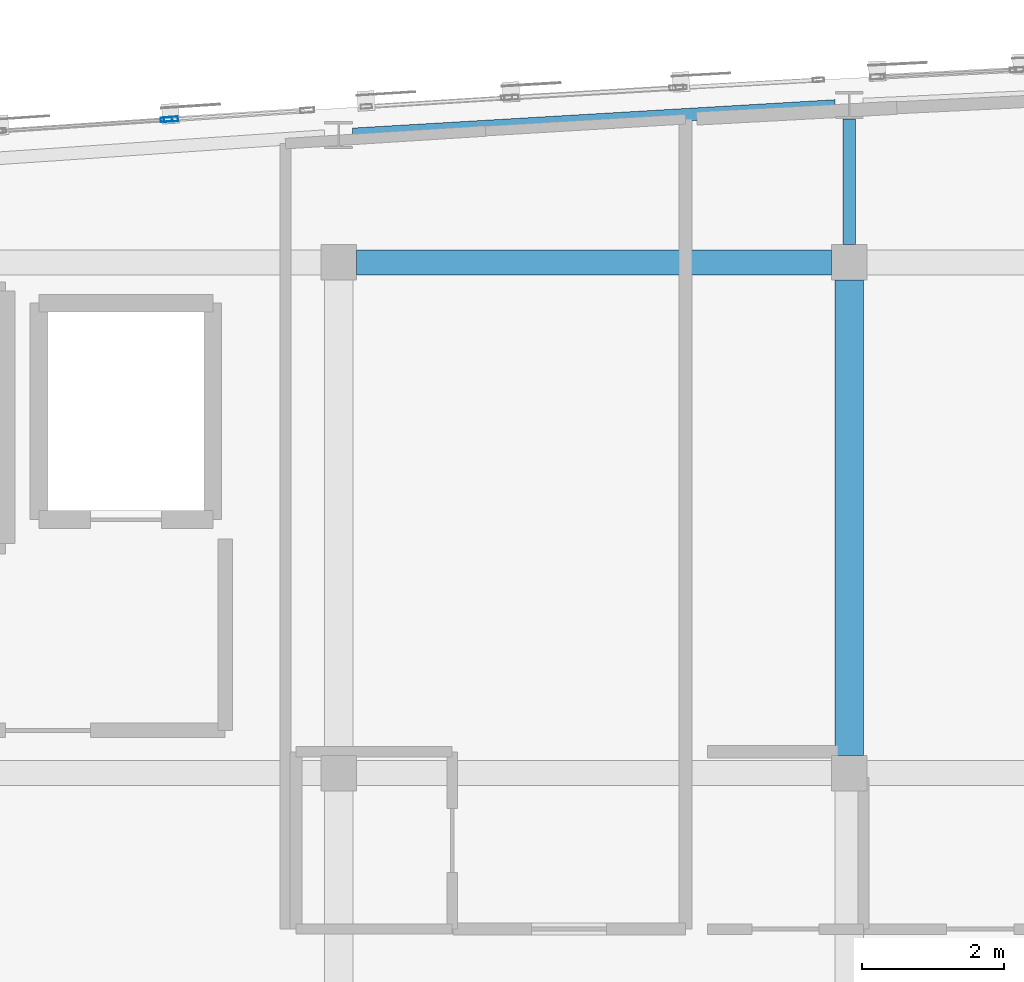
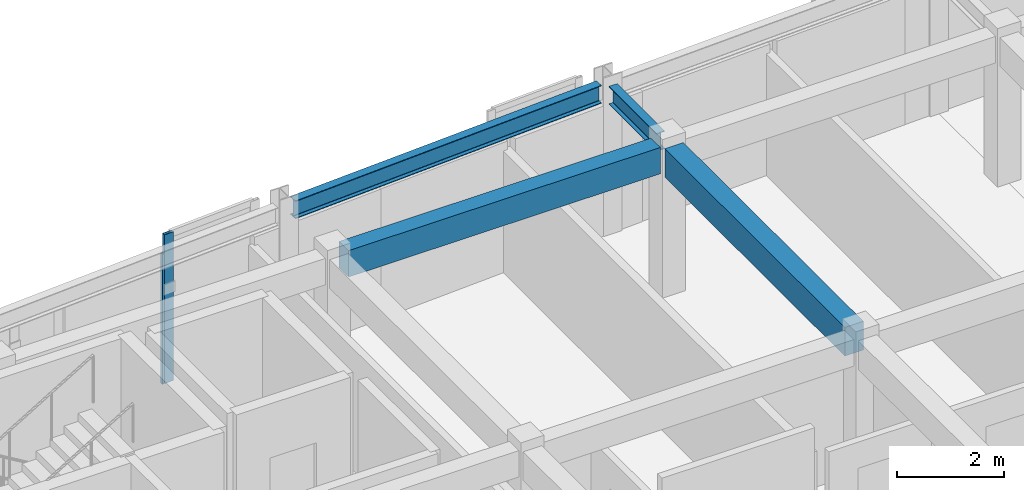
# One storey, part 10 of 34: 4 beams, 2 members, 2 elements without a shape of their own.
"""IFC4 building model written with IfcOpenShell, lengths in metres."""

from ifc_helpers import new_model, si_unit, direction, frame, origin, origin_2d, place, context, subcontext, project, spatial, rectangle, hollow_rectangle, i_section, extrude, material, layer, layer_set, material_profile, profile_set, type_object, element, aggregate, save


model = new_model("IFC4")

# Units and contexts
model_context = context("Model", 3, precision=1e-05, world=origin(), true_north=direction((0.0, 1.0)))
body_context = subcontext(model_context, "Body", "Model", "MODEL_VIEW")
ifc_project = project(units=[si_unit("LENGTHUNIT", "METRE"), si_unit("AREAUNIT", "SQUARE_METRE"), si_unit("VOLUMEUNIT", "CUBIC_METRE"), si_unit("PLANEANGLEUNIT", "RADIAN"), si_unit("MASSUNIT", "GRAM", prefix="KILO")], contexts=[model_context])

# Site, building, storey
site_placement = place(None, origin())
site = spatial("IfcSite", under=ifc_project, at=site_placement, CompositionType="ELEMENT")
building_placement = place(site_placement, origin())
building = spatial("IfcBuilding", under=site, at=building_placement, Name="Carrowvane Square Congress Hotel", CompositionType="ELEMENT")
storey_placement = place(building_placement, frame((0.0, 0.0, 40.800048828125)))
storey = spatial("IfcBuildingStorey", under=building, at=storey_placement, Name="L10", CompositionType="ELEMENT", Elevation=40.800048828125)

# Beams
ifc_material_1 = material(Name="Concrete C35/45", Category="concrete")
ifc_material_profile_1 = material_profile(ifc_material_1, rectangle(XDim=0.35009765625, YDim=0.60009765625, at=origin_2d()), Name="RC 350x600")
ifc_profile_set_1 = profile_set([ifc_material_profile_1], Name="Concrete C35/45")
beam_type_1 = type_object("IfcBeamType", Name="BM-RC-350x600", PredefinedType="BEAM", material=ifc_profile_set_1)
beam_1_placement = place(storey_placement, frame((69.449951171875, 113.39990234375, 3.079833984375), z_axis=(1.0, 0.0, 0.0), x_axis=(0.0, 1.0, 0.0)))
element("IfcBeam", 1, at=beam_1_placement, inside=storey, type_object=beam_type_1, Name="L11 girder R/9-10", PredefinedType="BEAM", context=body_context, shape_type="SweptSolid", body=[
    extrude(rectangle(XDim=0.35009765625, YDim=0.60009765625, at=origin_2d()), origin(), (0.0, 0.0, 1.0), 6.699951171875),
])
ifc_material_2 = material(Name="Concrete C35/45", Category="concrete")
ifc_material_profile_2 = material_profile(ifc_material_2, rectangle(XDim=0.39990234375, YDim=0.64990234375, at=origin_2d()), Name="RC 400x650")
ifc_profile_set_2 = profile_set([ifc_material_profile_2], Name="Concrete C35/45")
beam_type_2 = type_object("IfcBeamType", Name="BM-RC-400x650", PredefinedType="BEAM", material=ifc_profile_set_2)
beam_2_placement = place(storey_placement, frame((76.39990234375, 106.449951171875, 3.054931640625), z_axis=(0.0, 1.0, 0.0), x_axis=(-1.0, 0.0, 0.0)))
element("IfcBeam", 2, at=beam_2_placement, inside=storey, type_object=beam_type_2, Name="L11 girder 10/Q-R", PredefinedType="BEAM", context=body_context, shape_type="SweptSolid", body=[
    extrude(rectangle(XDim=0.39990234375, YDim=0.64990234375, at=origin_2d()), origin(), (0.0, 0.0, 1.0), 6.699951171875),
])
ifc_material_3 = material(Name="Steel S355", Category="steel")
ifc_material_profile_3 = material_profile(ifc_material_3, i_section(OverallWidth=0.1787109375, OverallDepth=0.409423828125, WebThickness=0.0087890625, FlangeThickness=0.014404296875, FilletRadius=0.01025390625, at=origin_2d()), Name="UKB 406x178x67")
ifc_profile_set_3 = profile_set([ifc_material_profile_3], Name="Steel S355")
beam_type_3 = type_object("IfcBeamType", Name="BM-ST-UKB406", PredefinedType="BEAM", material=ifc_profile_set_3)
beam_3_placement = place(storey_placement, frame((69.39697265625, 115.205810546875, 3.17529296875), z_axis=(0.998276101502, 0.058692633008, 0.0), x_axis=(-0.058692633008, 0.998276101502, 0.0)))
element("IfcBeam", 3, at=beam_3_placement, inside=storey, type_object=beam_type_3, Name="L11 curved north spandrel", PredefinedType="BEAM", context=body_context, shape_type="SweptSolid", body=[
    extrude(i_section(OverallWidth=0.1787109375, OverallDepth=0.409423828125, WebThickness=0.0087890625, FlangeThickness=0.014404296875, FilletRadius=0.01025390625, at=origin_2d()), origin(), (0.0, 0.0, 1.0), 6.817626953125),
])
beam_4_placement = place(storey_placement, frame((76.39990234375, 113.64990234375, 3.17529296875), z_axis=(0.0, 1.0, 0.0), x_axis=(-1.0, 0.0, 0.0)))
element("IfcBeam", 4, at=beam_4_placement, inside=storey, type_object=beam_type_3, Name="L11 radial north beam 10", PredefinedType="BEAM", context=body_context, shape_type="SweptSolid", body=[
    extrude(i_section(OverallWidth=0.1787109375, OverallDepth=0.409423828125, WebThickness=0.0087890625, FlangeThickness=0.014404296875, FilletRadius=0.01025390625, at=origin_2d()), origin(), (0.0, 0.0, 1.0), 1.770263671875),
])

# Curtain wall, member
ifc_material_4 = material(Name="Anodised aluminium", Category="aluminium")
ifc_layer_1 = layer(ifc_material_4, 0.162109375)
ifc_layer_set_1 = layer_set([ifc_layer_1], Name="Anodised aluminium")
curtain_wall_type_1 = type_object("IfcCurtainWallType", Name="CW-SYS-1", PredefinedType="NOTDEFINED", material=ifc_layer_set_1)
curtain_wall_1_placement = place(storey_placement, origin())
curtain_wall_1 = element("IfcCurtainWall", 5, at=curtain_wall_1_placement, inside=storey, type_object=curtain_wall_type_1, Name="L10 unitised curtain wall 560", PredefinedType="NOTDEFINED")
ifc_material_5 = material(Name="Anodised aluminium", Category="aluminium")
ifc_material_profile_4 = material_profile(ifc_material_5, hollow_rectangle(XDim=0.06005859375, YDim=0.159912109375, WallThickness=0.00390625, at=origin_2d()), Name="CW-ML 60x160x4")
ifc_profile_set_4 = profile_set([ifc_material_profile_4], Name="Anodised aluminium")
member_type_1 = type_object("IfcMemberType", Name="CW-MUL-1", PredefinedType="MULLION", material=ifc_profile_set_4)
member_1_placement = place(storey_placement, frame((66.77001953125, 115.4150390625, 0.0), z_axis=(0.0, 0.0, 1.0), x_axis=(-0.067865424104, 0.997694484404, 0.0)))
member_1 = element("IfcMember", 6, at=member_1_placement, type_object=member_type_1, Name="CW-1 mullion 2", PredefinedType="MULLION", context=body_context, shape_type="SweptSolid", body=[
    extrude(hollow_rectangle(XDim=0.06005859375, YDim=0.159912109375, WallThickness=0.00390625, at=origin_2d()), origin(), (0.0, 0.0, 1.0), 2.95556640625),
])
aggregate(curtain_wall_1, [member_1])

ifc_material_6 = material(Name="Anodised aluminium", Category="aluminium")
ifc_layer_2 = layer(ifc_material_6, 0.174072265625)
ifc_layer_set_2 = layer_set([ifc_layer_2], Name="Anodised aluminium")
curtain_wall_type_2 = type_object("IfcCurtainWallType", Name="CW-SYS-2", PredefinedType="NOTDEFINED", material=ifc_layer_set_2)
curtain_wall_2_placement = place(storey_placement, origin())
curtain_wall_2 = element("IfcCurtainWall", 7, at=curtain_wall_2_placement, inside=storey, type_object=curtain_wall_type_2, Name="L10 unitised curtain wall 561", PredefinedType="NOTDEFINED")
ifc_material_7 = material(Name="Anodised aluminium", Category="aluminium")
ifc_material_profile_5 = material_profile(ifc_material_7, hollow_rectangle(XDim=0.070068359375, YDim=0.199951171875, WallThickness=0.0048828125, at=origin_2d()), Name="CW-ML 70x200x5")
ifc_profile_set_5 = profile_set([ifc_material_profile_5], Name="Anodised aluminium")
member_type_2 = type_object("IfcMemberType", Name="CW-MUL-2", PredefinedType="MULLION", material=ifc_profile_set_5)
member_2_placement = place(storey_placement, frame((66.8349609375, 115.419189453125, 0.0), z_axis=(0.0, 0.0, 1.0), x_axis=(-0.065412223074, 0.997858327155, 0.0)))
member_2 = element("IfcMember", 8, at=member_2_placement, type_object=member_type_2, Name="CW-2 mullion 1", PredefinedType="MULLION", context=body_context, shape_type="SweptSolid", body=[
    extrude(hollow_rectangle(XDim=0.070068359375, YDim=0.199951171875, WallThickness=0.0048828125, at=origin_2d()), origin(), (0.0, 0.0, 1.0), 3.3798828125),
])
aggregate(curtain_wall_2, [member_2])

save(model, "model.ifc")
